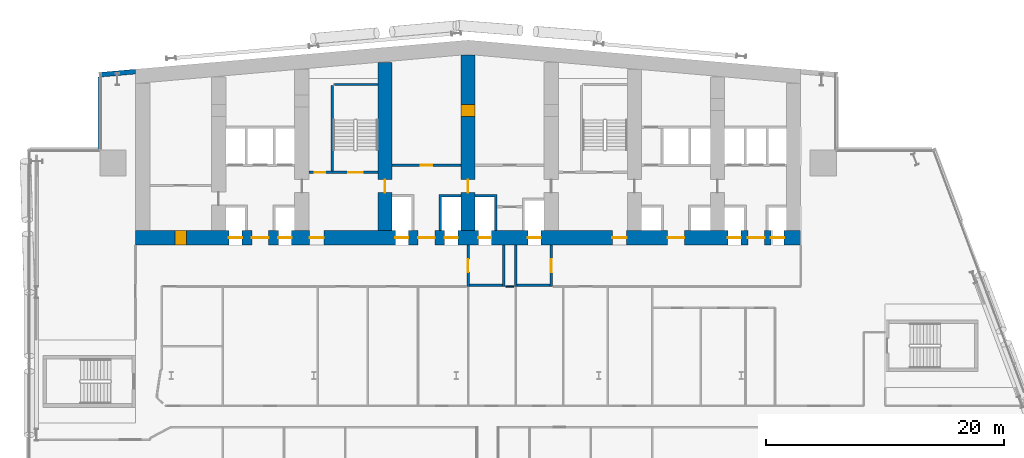
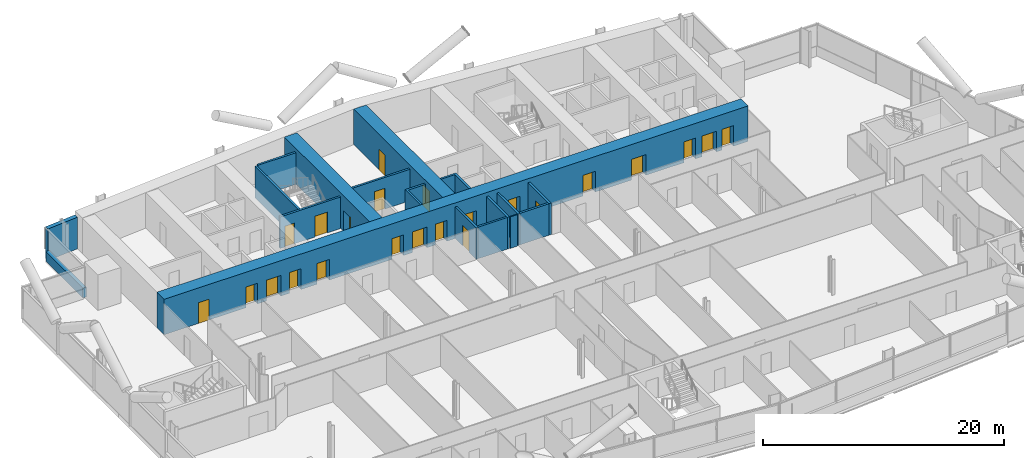
# One storey, part 17 of 27: 23 doors, 18 walls, 23 openings.
"""IFC4 building model written with IfcOpenShell, lengths in metres."""

from ifc_helpers import new_model, si_unit, direction, frame, frame_2d, origin, place, context, subcontext, project, spatial, polyline, rectangle, outline, extrude, material, layer, layer_set, type_object, element, fill, save


model = new_model("IFC4")

# Units and contexts
model_context = context("Model", 3, precision=1e-05, world=origin(), true_north=direction((0.0, 1.0)))
body_context = subcontext(model_context, "Body", "Model", "MODEL_VIEW")
ifc_project = project(units=[si_unit("LENGTHUNIT", "METRE"), si_unit("AREAUNIT", "SQUARE_METRE"), si_unit("VOLUMEUNIT", "CUBIC_METRE"), si_unit("PLANEANGLEUNIT", "RADIAN"), si_unit("MASSUNIT", "GRAM", prefix="KILO")], contexts=[model_context])

# Site, building, storey
site_placement = place(None, origin())
site = spatial("IfcSite", under=ifc_project, at=site_placement, CompositionType="ELEMENT")
building_placement = place(site_placement, origin())
building = spatial("IfcBuilding", under=site, at=building_placement, Name="Wharfspan Tower", CompositionType="ELEMENT")
storey_placement = place(building_placement, frame((0.0, 0.0, 55.899902)))
storey = spatial("IfcBuildingStorey", under=building, at=storey_placement, Name="L10", CompositionType="ELEMENT", Elevation=55.899902)

# Wall
ifc_material_1 = material(Name="Gypsum board on steel studs", Category="steel")
ifc_layer_1 = layer(ifc_material_1, 0.100098)
ifc_layer_set_1 = layer_set([ifc_layer_1], Name="Gypsum board on steel studs")
wall_type_1 = type_object("IfcWallType", Name="Compartment wall 100 EI 60", PredefinedType="PARTITIONING", material=ifc_layer_set_1)
wall_1_placement = place(storey_placement, frame((40.149902, 30.5, 0.0), z_axis=(0.0, 0.0, 1.0), x_axis=(1.0, 0.0, 0.0)))
element("IfcWall", 1, at=wall_1_placement, inside=storey, type_object=wall_type_1, Name="Partition L10.w015 (2)", PredefinedType="PARTITIONING", context=body_context, shape_type="SweptSolid", body=[
    extrude(rectangle(XDim=0.700195, YDim=0.100098, at=frame_2d((0.350098, 0.0))), origin(), (0.0, 0.0, 1.0), 3.200195),
])

# Wall, openings, doors
ifc_material_2 = material(Name="Concrete C70/85", Category="concrete")
ifc_layer_2 = layer(ifc_material_2, 1.199951)
ifc_layer_set_2 = layer_set([ifc_layer_2], Name="Concrete C70/85")
wall_type_2 = type_object("IfcWallType", Name="Core wall 1200 C70/85", PredefinedType="SHEAR", material=ifc_layer_set_2)
wall_2_placement = place(storey_placement, frame((9.0, 34.600098, 0.0), z_axis=(0.0, 0.0, 1.0), x_axis=(1.0, 0.0, 0.0)))
wall_2 = element("IfcWall", 2, at=wall_2_placement, inside=storey, type_object=wall_type_2, Name="Core front wall L10", PredefinedType="SHEAR", context=body_context, shape_type="SweptSolid", body=[
    extrude(rectangle(XDim=56.0, YDim=1.199951, at=frame_2d((28.0, 0.0))), origin(), (0.0, 0.0, 1.0), 3.600098),
])
opening_1_placement = place(wall_2_placement, frame((3.300049, 0.0, 0.0)))
opening_1 = element("IfcOpeningElement", 3, at=opening_1_placement, cuts=wall_2, Name="Opening CD10.01", PredefinedType="OPENING", context=body_context, shape_type="SweptSolid", body=[
    extrude(rectangle(XDim=1.0, YDim=2.100098, at=frame_2d((0.5, 1.050049))), frame((0.0, 0.609863, 0.0), z_axis=(0.0, -1.0, 0.0), x_axis=(1.0, 0.0, 0.0)), (0.0, 0.0, 1.0), 1.219971),
])
opening_2_placement = place(wall_2_placement, frame((7.866699, 0.0, 0.0)))
opening_2 = element("IfcOpeningElement", 4, at=opening_2_placement, cuts=wall_2, Name="Opening LD.LA1.L10", PredefinedType="OPENING", context=body_context, shape_type="SweptSolid", body=[
    extrude(rectangle(XDim=1.100098, YDim=2.100098, at=frame_2d((0.550049, 1.050049))), frame((0.0, 0.609863, 0.0), z_axis=(0.0, -1.0, 0.0), x_axis=(1.0, 0.0, 0.0)), (0.0, 0.0, 1.0), 1.219971),
])
opening_3_placement = place(wall_2_placement, frame((12.033203, 0.0, 0.0)))
opening_3 = element("IfcOpeningElement", 5, at=opening_3_placement, cuts=wall_2, Name="Opening LD.LA2.L10", PredefinedType="OPENING", context=body_context, shape_type="SweptSolid", body=[
    extrude(rectangle(XDim=1.100098, YDim=2.100098, at=frame_2d((0.550049, 1.050049))), frame((0.0, 0.609863, 0.0), z_axis=(0.0, -1.0, 0.0), x_axis=(1.0, 0.0, 0.0)), (0.0, 0.0, 1.0), 1.219971),
])
opening_4_placement = place(wall_2_placement, frame((9.800049, 0.0, 0.0)))
opening_4 = element("IfcOpeningElement", 6, at=opening_4_placement, cuts=wall_2, Name="Opening HD10.1", PredefinedType="OPENING", context=body_context, shape_type="SweptSolid", body=[
    extrude(rectangle(XDim=1.399902, YDim=2.100098, at=frame_2d((0.699951, 1.050049))), frame((0.0, 0.609863, 0.0), z_axis=(0.0, -1.0, 0.0), x_axis=(1.0, 0.0, 0.0)), (0.0, 0.0, 1.0), 1.219971),
])
opening_5_placement = place(wall_2_placement, frame((14.649902, 0.0, 0.0)))
opening_5 = element("IfcOpeningElement", 7, at=opening_5_placement, cuts=wall_2, Name="Opening SV2.L10", PredefinedType="OPENING", context=body_context, shape_type="SweptSolid", body=[
    extrude(rectangle(XDim=1.199951, YDim=2.100098, at=frame_2d((0.600098, 1.050049))), frame((0.0, 0.609863, 0.0), z_axis=(0.0, -1.0, 0.0), x_axis=(1.0, 0.0, 0.0)), (0.0, 0.0, 1.0), 1.219971),
])
opening_6_placement = place(wall_2_placement, frame((21.866699, 0.0, 0.0)))
opening_6 = element("IfcOpeningElement", 8, at=opening_6_placement, cuts=wall_2, Name="Opening LD.SL1.L10", PredefinedType="OPENING", context=body_context, shape_type="SweptSolid", body=[
    extrude(rectangle(XDim=1.100098, YDim=2.100098, at=frame_2d((0.550049, 1.050049))), frame((0.0, 0.609863, 0.0), z_axis=(0.0, -1.0, 0.0), x_axis=(1.0, 0.0, 0.0)), (0.0, 0.0, 1.0), 1.219971),
])
opening_7_placement = place(wall_2_placement, frame((26.033203, 0.0, 0.0)))
opening_7 = element("IfcOpeningElement", 9, at=opening_7_placement, cuts=wall_2, Name="Opening LD.SL2.L10", PredefinedType="OPENING", context=body_context, shape_type="SweptSolid", body=[
    extrude(rectangle(XDim=1.100098, YDim=2.100098, at=frame_2d((0.550049, 1.050049))), frame((0.0, 0.609863, 0.0), z_axis=(0.0, -1.0, 0.0), x_axis=(1.0, 0.0, 0.0)), (0.0, 0.0, 1.0), 1.219971),
])
opening_8_placement = place(wall_2_placement, frame((23.800049, 0.0, 0.0)))
opening_8 = element("IfcOpeningElement", 10, at=opening_8_placement, cuts=wall_2, Name="Opening HD10.3", PredefinedType="OPENING", context=body_context, shape_type="SweptSolid", body=[
    extrude(rectangle(XDim=1.399902, YDim=2.100098, at=frame_2d((0.699951, 1.050049))), frame((0.0, 0.609863, 0.0), z_axis=(0.0, -1.0, 0.0), x_axis=(1.0, 0.0, 0.0)), (0.0, 0.0, 1.0), 1.219971),
])
opening_9_placement = place(wall_2_placement, frame((28.866699, 0.0, 0.0)))
opening_9 = element("IfcOpeningElement", 11, at=opening_9_placement, cuts=wall_2, Name="Opening LD.FF1.L10", PredefinedType="OPENING", context=body_context, shape_type="SweptSolid", body=[
    extrude(rectangle(XDim=1.100098, YDim=2.100098, at=frame_2d((0.550049, 1.050049))), frame((0.0, 0.609863, 0.0), z_axis=(0.0, -1.0, 0.0), x_axis=(1.0, 0.0, 0.0)), (0.0, 0.0, 1.0), 1.219971),
])
opening_10_placement = place(wall_2_placement, frame((33.033203, 0.0, 0.0)))
opening_10 = element("IfcOpeningElement", 12, at=opening_10_placement, cuts=wall_2, Name="Opening LD.FF2.L10", PredefinedType="OPENING", context=body_context, shape_type="SweptSolid", body=[
    extrude(rectangle(XDim=1.100098, YDim=2.100098, at=frame_2d((0.550049, 1.050049))), frame((0.0, 0.609863, 0.0), z_axis=(0.0, -1.0, 0.0), x_axis=(1.0, 0.0, 0.0)), (0.0, 0.0, 1.0), 1.219971),
])
opening_11_placement = place(wall_2_placement, frame((40.149902, 0.0, 0.0)))
opening_11 = element("IfcOpeningElement", 13, at=opening_11_placement, cuts=wall_2, Name="Opening SV5.L10", PredefinedType="OPENING", context=body_context, shape_type="SweptSolid", body=[
    extrude(rectangle(XDim=1.199951, YDim=2.100098, at=frame_2d((0.600098, 1.050049))), frame((0.0, 0.609863, 0.0), z_axis=(0.0, -1.0, 0.0), x_axis=(1.0, 0.0, 0.0)), (0.0, 0.0, 1.0), 1.219971),
])
opening_12_placement = place(wall_2_placement, frame((44.800049, 0.0, 0.0)))
opening_12 = element("IfcOpeningElement", 14, at=opening_12_placement, cuts=wall_2, Name="Opening HD10.6", PredefinedType="OPENING", context=body_context, shape_type="SweptSolid", body=[
    extrude(rectangle(XDim=1.399902, YDim=2.100098, at=frame_2d((0.699951, 1.050049))), frame((0.0, 0.609863, 0.0), z_axis=(0.0, -1.0, 0.0), x_axis=(1.0, 0.0, 0.0)), (0.0, 0.0, 1.0), 1.219971),
])
opening_13_placement = place(wall_2_placement, frame((49.866699, 0.0, 0.0)))
opening_13 = element("IfcOpeningElement", 15, at=opening_13_placement, cuts=wall_2, Name="Opening LD.LA6.L10", PredefinedType="OPENING", context=body_context, shape_type="SweptSolid", body=[
    extrude(rectangle(XDim=1.100098, YDim=2.100098, at=frame_2d((0.550049, 1.050049))), frame((0.0, 0.609863, 0.0), z_axis=(0.0, -1.0, 0.0), x_axis=(1.0, 0.0, 0.0)), (0.0, 0.0, 1.0), 1.219971),
])
opening_14_placement = place(wall_2_placement, frame((53.5, 0.0, 0.0)))
opening_14 = element("IfcOpeningElement", 16, at=opening_14_placement, cuts=wall_2, Name="Opening LD.LA7.L10", PredefinedType="OPENING", context=body_context, shape_type="SweptSolid", body=[
    extrude(rectangle(XDim=1.100098, YDim=2.100098, at=frame_2d((0.550049, 1.050049))), frame((0.0, 0.609863, 0.0), z_axis=(0.0, -1.0, 0.0), x_axis=(1.0, 0.0, 0.0)), (0.0, 0.0, 1.0), 1.219971),
])
opening_15_placement = place(wall_2_placement, frame((51.56665, 0.0, 0.0)))
opening_15 = element("IfcOpeningElement", 17, at=opening_15_placement, cuts=wall_2, Name="Opening HD10.7", PredefinedType="OPENING", context=body_context, shape_type="SweptSolid", body=[
    extrude(rectangle(XDim=1.399902, YDim=2.100098, at=frame_2d((0.699951, 1.050049))), frame((0.0, 0.609863, 0.0), z_axis=(0.0, -1.0, 0.0), x_axis=(1.0, 0.0, 0.0)), (0.0, 0.0, 1.0), 1.219971),
])
ifc_material_3 = material(Name="Steel door leaf", Category="steel")
door_type_1 = type_object("IfcDoorType", Name="Core room door 1000x2100", OperationType="SINGLE_SWING_LEFT", PredefinedType="DOOR", material=ifc_material_3)
door_1_placement = place(opening_1_placement, origin())
door_1 = element("IfcDoor", 18, at=door_1_placement, inside=storey, type_object=door_type_1, Name="d:L10:0:rf", OperationType="SINGLE_SWING_LEFT", OverallHeight=2.100098, OverallWidth=1.0, PredefinedType="DOOR", context=body_context, shape_type="SweptSolid", body=[
    extrude(rectangle(XDim=1.0, YDim=2.100098, at=frame_2d((0.5, 1.050049))), frame((0.0, 0.599609, 0.0), z_axis=(0.0, -1.0, 0.0), x_axis=(1.0, 0.0, 0.0)), (0.0, 0.0, 1.0), 1.199463),
])
fill(opening_1, door_1)
door_type_2 = type_object("IfcDoorType", Name="Hall entry door 1400x2100", OperationType="DOUBLE_DOOR_SINGLE_SWING", PredefinedType="DOOR", material=ifc_material_3)
door_2_placement = place(opening_4_placement, origin())
door_2 = element("IfcDoor", 19, at=door_2_placement, inside=storey, type_object=door_type_2, Name="d:L10:1:hd1", OperationType="DOUBLE_DOOR_SINGLE_SWING", OverallHeight=2.100098, OverallWidth=1.399902, PredefinedType="DOOR", context=body_context, shape_type="SweptSolid", body=[
    extrude(rectangle(XDim=1.399902, YDim=2.100098, at=frame_2d((0.699951, 1.050049))), frame((0.0, 0.024902, 0.0), z_axis=(0.0, -1.0, 0.0), x_axis=(1.0, 0.0, 0.0)), (0.0, 0.0, 1.0), 0.050049),
])
fill(opening_4, door_2)
door_3_placement = place(opening_8_placement, origin())
door_3 = element("IfcDoor", 20, at=door_3_placement, inside=storey, type_object=door_type_2, Name="d:L10:3:hd3", OperationType="DOUBLE_DOOR_SINGLE_SWING", OverallHeight=2.100098, OverallWidth=1.399902, PredefinedType="DOOR", context=body_context, shape_type="SweptSolid", body=[
    extrude(rectangle(XDim=1.399902, YDim=2.100098, at=frame_2d((0.699951, 1.050049))), frame((0.0, 0.024902, 0.0), z_axis=(0.0, -1.0, 0.0), x_axis=(1.0, 0.0, 0.0)), (0.0, 0.0, 1.0), 0.050049),
])
fill(opening_8, door_3)
door_4_placement = place(opening_12_placement, origin())
door_4 = element("IfcDoor", 21, at=door_4_placement, inside=storey, type_object=door_type_2, Name="d:L10:6:hd6", OperationType="DOUBLE_DOOR_SINGLE_SWING", OverallHeight=2.100098, OverallWidth=1.399902, PredefinedType="DOOR", context=body_context, shape_type="SweptSolid", body=[
    extrude(rectangle(XDim=1.399902, YDim=2.100098, at=frame_2d((0.699951, 1.050049))), frame((0.0, 0.024902, 0.0), z_axis=(0.0, -1.0, 0.0), x_axis=(1.0, 0.0, 0.0)), (0.0, 0.0, 1.0), 0.050049),
])
fill(opening_12, door_4)
door_5_placement = place(opening_15_placement, origin())
door_5 = element("IfcDoor", 22, at=door_5_placement, inside=storey, type_object=door_type_2, Name="d:L10:7:hd7", OperationType="DOUBLE_DOOR_SINGLE_SWING", OverallHeight=2.100098, OverallWidth=1.399902, PredefinedType="DOOR", context=body_context, shape_type="SweptSolid", body=[
    extrude(rectangle(XDim=1.399902, YDim=2.100098, at=frame_2d((0.699951, 1.050049))), frame((0.0, 0.024902, 0.0), z_axis=(0.0, -1.0, 0.0), x_axis=(1.0, 0.0, 0.0)), (0.0, 0.0, 1.0), 0.050049),
])
fill(opening_15, door_5)
ifc_material_4 = material(Name="Stainless steel", Category="steel")
door_type_3 = type_object("IfcDoorType", Name="Lift landing door 1100x2100", OperationType="DOUBLE_DOOR_SLIDING", PredefinedType="DOOR", material=ifc_material_4)
door_6_placement = place(opening_2_placement, origin())
door_6 = element("IfcDoor", 23, at=door_6_placement, inside=storey, type_object=door_type_3, Name="Landing door LA1 L10", OperationType="DOUBLE_DOOR_SLIDING", OverallHeight=2.100098, OverallWidth=1.100098, PredefinedType="DOOR", context=body_context, shape_type="SweptSolid", body=[
    extrude(rectangle(XDim=1.100098, YDim=2.100098, at=frame_2d((0.550049, 1.050049))), frame((0.0, 0.024902, 0.0), z_axis=(0.0, -1.0, 0.0), x_axis=(1.0, 0.0, 0.0)), (0.0, 0.0, 1.0), 0.050049),
])
fill(opening_2, door_6)
door_7_placement = place(opening_3_placement, origin())
door_7 = element("IfcDoor", 24, at=door_7_placement, inside=storey, type_object=door_type_3, Name="Landing door LA2 L10", OperationType="DOUBLE_DOOR_SLIDING", OverallHeight=2.100098, OverallWidth=1.100098, PredefinedType="DOOR", context=body_context, shape_type="SweptSolid", body=[
    extrude(rectangle(XDim=1.100098, YDim=2.100098, at=frame_2d((0.550049, 1.050049))), frame((0.0, 0.024902, 0.0), z_axis=(0.0, -1.0, 0.0), x_axis=(1.0, 0.0, 0.0)), (0.0, 0.0, 1.0), 0.050049),
])
fill(opening_3, door_7)
door_8_placement = place(opening_6_placement, origin())
door_8 = element("IfcDoor", 25, at=door_8_placement, inside=storey, type_object=door_type_3, Name="Landing door SL1 L10", OperationType="DOUBLE_DOOR_SLIDING", OverallHeight=2.100098, OverallWidth=1.100098, PredefinedType="DOOR", context=body_context, shape_type="SweptSolid", body=[
    extrude(rectangle(XDim=1.100098, YDim=2.100098, at=frame_2d((0.550049, 1.050049))), frame((0.0, 0.024902, 0.0), z_axis=(0.0, -1.0, 0.0), x_axis=(1.0, 0.0, 0.0)), (0.0, 0.0, 1.0), 0.050049),
])
fill(opening_6, door_8)
door_9_placement = place(opening_7_placement, origin())
door_9 = element("IfcDoor", 26, at=door_9_placement, inside=storey, type_object=door_type_3, Name="Landing door SL2 L10", OperationType="DOUBLE_DOOR_SLIDING", OverallHeight=2.100098, OverallWidth=1.100098, PredefinedType="DOOR", context=body_context, shape_type="SweptSolid", body=[
    extrude(rectangle(XDim=1.100098, YDim=2.100098, at=frame_2d((0.550049, 1.050049))), frame((0.0, 0.024902, 0.0), z_axis=(0.0, -1.0, 0.0), x_axis=(1.0, 0.0, 0.0)), (0.0, 0.0, 1.0), 0.050049),
])
fill(opening_7, door_9)
door_10_placement = place(opening_9_placement, origin())
door_10 = element("IfcDoor", 27, at=door_10_placement, inside=storey, type_object=door_type_3, Name="Landing door FF1 L10", OperationType="DOUBLE_DOOR_SLIDING", OverallHeight=2.100098, OverallWidth=1.100098, PredefinedType="DOOR", context=body_context, shape_type="SweptSolid", body=[
    extrude(rectangle(XDim=1.100098, YDim=2.100098, at=frame_2d((0.550049, 1.050049))), frame((0.0, 0.024902, 0.0), z_axis=(0.0, -1.0, 0.0), x_axis=(1.0, 0.0, 0.0)), (0.0, 0.0, 1.0), 0.050049),
])
fill(opening_9, door_10)
door_11_placement = place(opening_10_placement, origin())
door_11 = element("IfcDoor", 28, at=door_11_placement, inside=storey, type_object=door_type_3, Name="Landing door FF2 L10", OperationType="DOUBLE_DOOR_SLIDING", OverallHeight=2.100098, OverallWidth=1.100098, PredefinedType="DOOR", context=body_context, shape_type="SweptSolid", body=[
    extrude(rectangle(XDim=1.100098, YDim=2.100098, at=frame_2d((0.550049, 1.050049))), frame((0.0, 0.024902, 0.0), z_axis=(0.0, -1.0, 0.0), x_axis=(1.0, 0.0, 0.0)), (0.0, 0.0, 1.0), 0.050049),
])
fill(opening_10, door_11)
door_12_placement = place(opening_13_placement, origin())
door_12 = element("IfcDoor", 29, at=door_12_placement, inside=storey, type_object=door_type_3, Name="Landing door LA6 L10", OperationType="DOUBLE_DOOR_SLIDING", OverallHeight=2.100098, OverallWidth=1.100098, PredefinedType="DOOR", context=body_context, shape_type="SweptSolid", body=[
    extrude(rectangle(XDim=1.100098, YDim=2.100098, at=frame_2d((0.550049, 1.050049))), frame((0.0, 0.024902, 0.0), z_axis=(0.0, -1.0, 0.0), x_axis=(1.0, 0.0, 0.0)), (0.0, 0.0, 1.0), 0.050049),
])
fill(opening_13, door_12)
door_13_placement = place(opening_14_placement, origin())
door_13 = element("IfcDoor", 30, at=door_13_placement, inside=storey, type_object=door_type_3, Name="Landing door LA7 L10", OperationType="DOUBLE_DOOR_SLIDING", OverallHeight=2.100098, OverallWidth=1.100098, PredefinedType="DOOR", context=body_context, shape_type="SweptSolid", body=[
    extrude(rectangle(XDim=1.100098, YDim=2.100098, at=frame_2d((0.550049, 1.050049))), frame((0.0, 0.024902, 0.0), z_axis=(0.0, -1.0, 0.0), x_axis=(1.0, 0.0, 0.0)), (0.0, 0.0, 1.0), 0.050049),
])
fill(opening_14, door_13)
door_type_4 = type_object("IfcDoorType", Name="Stair door 1200x2100", OperationType="SINGLE_SWING_LEFT", PredefinedType="DOOR", material=ifc_material_3)
door_14_placement = place(opening_5_placement, origin())
door_14 = element("IfcDoor", 31, at=door_14_placement, inside=storey, type_object=door_type_4, Name="vd:L10:2", OperationType="SINGLE_SWING_LEFT", OverallHeight=2.100098, OverallWidth=1.199951, PredefinedType="DOOR", context=body_context, shape_type="SweptSolid", body=[
    extrude(rectangle(XDim=1.199951, YDim=2.100098, at=frame_2d((0.600098, 1.050049))), frame((0.0, 0.024902, 0.0), z_axis=(0.0, -1.0, 0.0), x_axis=(1.0, 0.0, 0.0)), (0.0, 0.0, 1.0), 0.050049),
])
fill(opening_5, door_14)
door_15_placement = place(opening_11_placement, origin())
door_15 = element("IfcDoor", 32, at=door_15_placement, inside=storey, type_object=door_type_4, Name="vd:L10:5", OperationType="SINGLE_SWING_LEFT", OverallHeight=2.100098, OverallWidth=1.199951, PredefinedType="DOOR", context=body_context, shape_type="SweptSolid", body=[
    extrude(rectangle(XDim=1.199951, YDim=2.100098, at=frame_2d((0.600098, 1.050049))), frame((0.0, 0.024902, 0.0), z_axis=(0.0, -1.0, 0.0), x_axis=(1.0, 0.0, 0.0)), (0.0, 0.0, 1.0), 0.050049),
])
fill(opening_11, door_15)

# Wall, opening, door
wall_3_placement = place(storey_placement, frame((30.0, 35.199951, 0.0), z_axis=(0.0, 0.0, 1.0), x_axis=(0.0, 1.0, 0.0)))
wall_3 = element("IfcWall", 33, at=wall_3_placement, inside=storey, type_object=wall_type_2, Name="Core cross wall X3 L10", PredefinedType="SHEAR", context=body_context, shape_type="SweptSolid", body=[
    extrude(rectangle(XDim=14.167725, YDim=1.199951, at=frame_2d((7.083984, 0.0))), origin(), (0.0, 0.0, 1.0), 3.600098),
])
opening_16_placement = place(wall_3_placement, frame((3.199951, 0.0, 0.0)))
opening_16 = element("IfcOpeningElement", 34, at=opening_16_placement, cuts=wall_3, Name="Opening CC10.3", PredefinedType="OPENING", context=body_context, shape_type="SweptSolid", body=[
    extrude(rectangle(XDim=1.100098, YDim=2.100098, at=frame_2d((0.550049, 1.050049))), frame((0.0, 0.609863, 0.0), z_axis=(0.0, -1.0, 0.0), x_axis=(1.0, 0.0, 0.0)), (0.0, 0.0, 1.0), 1.219971),
])
door_type_5 = type_object("IfcDoorType", Name="Core corridor door 1100x2100", OperationType="SINGLE_SWING_LEFT", PredefinedType="DOOR", material=ifc_material_3)
door_16_placement = place(opening_16_placement, origin())
door_16 = element("IfcDoor", 35, at=door_16_placement, inside=storey, type_object=door_type_5, Name="xd:L10:3", OperationType="SINGLE_SWING_LEFT", OverallHeight=2.100098, OverallWidth=1.100098, PredefinedType="DOOR", context=body_context, shape_type="SweptSolid", body=[
    extrude(rectangle(XDim=1.100098, YDim=2.100098, at=frame_2d((0.550049, 1.050049))), frame((0.0, 0.024902, 0.0), z_axis=(0.0, -1.0, 0.0), x_axis=(1.0, 0.0, 0.0)), (0.0, 0.0, 1.0), 0.050049),
])
fill(opening_16, door_16)

# Wall, openings, doors
wall_4_placement = place(storey_placement, frame((37.0, 35.199951, 0.0), z_axis=(0.0, 0.0, 1.0), x_axis=(0.0, 1.0, 0.0)))
wall_4 = element("IfcWall", 36, at=wall_4_placement, inside=storey, type_object=wall_type_2, Name="Core cross wall X4 L10", PredefinedType="SHEAR", context=body_context, shape_type="SweptSolid", body=[
    extrude(rectangle(XDim=14.780029, YDim=1.199951, at=frame_2d((7.390137, 0.0))), origin(), (0.0, 0.0, 1.0), 3.600098),
])
opening_17_placement = place(wall_4_placement, frame((3.199951, 0.0, 0.0)))
opening_17 = element("IfcOpeningElement", 37, at=opening_17_placement, cuts=wall_4, Name="Opening CC10.4", PredefinedType="OPENING", context=body_context, shape_type="SweptSolid", body=[
    extrude(rectangle(XDim=1.100098, YDim=2.100098, at=frame_2d((0.550049, 1.050049))), frame((0.0, 0.609863, 0.0), z_axis=(0.0, -1.0, 0.0), x_axis=(1.0, 0.0, 0.0)), (0.0, 0.0, 1.0), 1.219971),
])
opening_18_placement = place(wall_4_placement, frame((9.600098, 0.0, 0.0)))
opening_18 = element("IfcOpeningElement", 38, at=opening_18_placement, cuts=wall_4, Name="Opening CR10.4", PredefinedType="OPENING", context=body_context, shape_type="SweptSolid", body=[
    extrude(rectangle(XDim=1.0, YDim=2.100098, at=frame_2d((0.5, 1.050049))), frame((0.0, 0.609863, 0.0), z_axis=(0.0, -1.0, 0.0), x_axis=(1.0, 0.0, 0.0)), (0.0, 0.0, 1.0), 1.219971),
])
door_17_placement = place(opening_17_placement, origin())
door_17 = element("IfcDoor", 39, at=door_17_placement, inside=storey, type_object=door_type_5, Name="xd:L10:4", OperationType="SINGLE_SWING_RIGHT", OverallHeight=2.100098, OverallWidth=1.100098, PredefinedType="DOOR", context=body_context, shape_type="SweptSolid", body=[
    extrude(rectangle(XDim=1.100098, YDim=2.100098, at=frame_2d((0.550049, 1.050049))), frame((0.0, 0.024902, 0.0), z_axis=(0.0, -1.0, 0.0), x_axis=(1.0, 0.0, 0.0)), (0.0, 0.0, 1.0), 0.050049),
])
fill(opening_17, door_17)
door_18_placement = place(opening_18_placement, origin())
door_18 = element("IfcDoor", 40, at=door_18_placement, inside=storey, type_object=door_type_1, Name="xr:L10:4", OperationType="SINGLE_SWING_RIGHT", OverallHeight=2.100098, OverallWidth=1.0, PredefinedType="DOOR", context=body_context, shape_type="SweptSolid", body=[
    extrude(rectangle(XDim=1.0, YDim=2.100098, at=frame_2d((0.5, 1.050049))), frame((0.0, 0.599609, 0.0), z_axis=(0.0, -1.0, 0.0), x_axis=(1.0, 0.0, 0.0)), (0.0, 0.0, 1.0), 1.199463),
])
fill(opening_18, door_18)

# Wall, opening, door
ifc_material_5 = material(Name="Concrete C30/37", Category="concrete")
ifc_layer_3 = layer(ifc_material_5, 0.199951)
ifc_layer_set_3 = layer_set([ifc_layer_3], Name="Concrete C30/37")
wall_type_3 = type_object("IfcWallType", Name="Lift shaft wall 200", PredefinedType="PARTITIONING", material=ifc_layer_set_3)
wall_5_placement = place(storey_placement, frame((30.600098, 40.699951, 0.0), z_axis=(0.0, 0.0, 1.0), x_axis=(1.0, 0.0, 0.0)))
wall_5 = element("IfcWall", 41, at=wall_5_placement, inside=storey, type_object=wall_type_3, Name="sw:L10:RF3", PredefinedType="PARTITIONING", context=body_context, shape_type="SweptSolid", body=[
    extrude(rectangle(XDim=5.799805, YDim=0.199951, at=frame_2d((2.899902, 0.0))), origin(), (0.0, 0.0, 1.0), 3.200195),
])
opening_19_placement = place(wall_5_placement, frame((2.399902, 0.0, 0.0)))
opening_19 = element("IfcOpeningElement", 42, at=opening_19_placement, cuts=wall_5, Name="Opening CD10.3S", PredefinedType="OPENING", context=body_context, shape_type="SweptSolid", body=[
    extrude(rectangle(XDim=1.0, YDim=2.100098, at=frame_2d((0.5, 1.050049))), frame((0.0, 0.109863, 0.0), z_axis=(0.0, -1.0, 0.0), x_axis=(1.0, 0.0, 0.0)), (0.0, 0.0, 1.0), 0.219971),
])
door_19_placement = place(opening_19_placement, origin())
door_19 = element("IfcDoor", 43, at=door_19_placement, inside=storey, type_object=door_type_1, Name="d:L10:3:sf", OperationType="SINGLE_SWING_LEFT", OverallHeight=2.100098, OverallWidth=1.0, PredefinedType="DOOR", context=body_context, shape_type="SweptSolid", body=[
    extrude(rectangle(XDim=1.0, YDim=2.100098, at=frame_2d((0.5, 1.050049))), frame((0.0, 0.024902, 0.0), z_axis=(0.0, -1.0, 0.0), x_axis=(1.0, 0.0, 0.0)), (0.0, 0.0, 1.0), 0.050049),
])
fill(opening_19, door_19)

# Walls
wall_6_placement = place(storey_placement, origin())
element("IfcWall", 44, at=wall_6_placement, inside=storey, type_object=wall_type_3, Name="sw:L10:FM3.1", PredefinedType="PARTITIONING", context=body_context, shape_type="SweptSolid", body=[
    extrude(outline(polyline([(34.56665, 38.25), (34.766602, 38.25), (36.399902, 38.25), (36.399902, 38.050049), (34.766602, 38.050049), (34.766602, 35.199951), (34.56665, 35.199951), (34.56665, 38.25)])), origin(), (0.0, 0.0, 1.0), 3.200195),
])
wall_7_placement = place(storey_placement, origin())
element("IfcWall", 45, at=wall_7_placement, inside=storey, type_object=wall_type_3, Name="sw:L10:FM4.1", PredefinedType="PARTITIONING", context=body_context, shape_type="SweptSolid", body=[
    extrude(outline(polyline([(39.233398, 38.050049), (37.600098, 38.050049), (37.600098, 38.25), (39.233398, 38.25), (39.43335, 38.25), (39.43335, 35.199951), (39.233398, 35.199951), (39.233398, 38.050049)])), origin(), (0.0, 0.0, 1.0), 3.200195),
])

# Wall, opening, door
ifc_layer_4 = layer(ifc_material_5, 0.199951)
ifc_layer_set_4 = layer_set([ifc_layer_4], Name="Concrete C30/37")
wall_type_4 = type_object("IfcWallType", Name="Lobby wall 200", PredefinedType="PARTITIONING", material=ifc_layer_set_4)
wall_8_placement = place(storey_placement, frame((37.0, 30.5, 0.0), z_axis=(0.0, 0.0, 1.0), x_axis=(0.0, 1.0, 0.0)))
wall_8 = element("IfcWall", 46, at=wall_8_placement, inside=storey, type_object=wall_type_4, Name="sw:L10:FLFF1W", PredefinedType="PARTITIONING", context=body_context, shape_type="SweptSolid", body=[
    extrude(rectangle(XDim=3.5, YDim=0.199951, at=frame_2d((1.75, 0.0))), origin(), (0.0, 0.0, 1.0), 3.200195),
])
opening_20_placement = place(wall_8_placement, frame((1.199951, 0.0, 0.0)))
opening_20 = element("IfcOpeningElement", 47, at=opening_20_placement, cuts=wall_8, Name="Opening FL.FF1.L10", PredefinedType="OPENING", context=body_context, shape_type="SweptSolid", body=[
    extrude(rectangle(XDim=1.100098, YDim=2.100098, at=frame_2d((0.550049, 1.050049))), frame((0.0, 0.109863, 0.0), z_axis=(0.0, -1.0, 0.0), x_axis=(1.0, 0.0, 0.0)), (0.0, 0.0, 1.0), 0.219971),
])
door_type_6 = type_object("IfcDoorType", Name="Firefighting lobby door 1100x2100", OperationType="SINGLE_SWING_LEFT", PredefinedType="DOOR", material=ifc_material_3)
door_20_placement = place(opening_20_placement, origin())
door_20 = element("IfcDoor", 48, at=door_20_placement, inside=storey, type_object=door_type_6, Name="fd:L10:FF1", OperationType="SINGLE_SWING_LEFT", OverallHeight=2.100098, OverallWidth=1.100098, PredefinedType="DOOR", context=body_context, shape_type="SweptSolid", body=[
    extrude(rectangle(XDim=1.100098, YDim=2.100098, at=frame_2d((0.550049, 1.050049))), frame((0.0, 0.024902, 0.0), z_axis=(0.0, -1.0, 0.0), x_axis=(1.0, 0.0, 0.0)), (0.0, 0.0, 1.0), 0.050049),
])
fill(opening_20, door_20)

# Walls
wall_9_placement = place(storey_placement, frame((40.0, 30.5, 0.0), z_axis=(0.0, 0.0, 1.0), x_axis=(0.0, 1.0, 0.0)))
element("IfcWall", 49, at=wall_9_placement, inside=storey, type_object=wall_type_4, Name="sw:L10:FLFF1E", PredefinedType="PARTITIONING", context=body_context, shape_type="SweptSolid", body=[
    extrude(rectangle(XDim=3.5, YDim=0.199951, at=frame_2d((1.75, 0.0))), origin(), (0.0, 0.0, 1.0), 3.200195),
])
wall_10_placement = place(storey_placement, frame((37.100098, 30.600098, 0.0), z_axis=(0.0, 0.0, 1.0), x_axis=(1.0, 0.0, 0.0)))
element("IfcWall", 50, at=wall_10_placement, inside=storey, type_object=wall_type_4, Name="sw:L10:FLFF1F", PredefinedType="PARTITIONING", context=body_context, shape_type="SweptSolid", body=[
    extrude(rectangle(XDim=2.799805, YDim=0.199951, at=frame_2d((1.399902, 0.0))), origin(), (0.0, 0.0, 1.0), 3.200195),
])
wall_11_placement = place(storey_placement, frame((41.0, 30.5, 0.0), z_axis=(0.0, 0.0, 1.0), x_axis=(0.0, 1.0, 0.0)))
element("IfcWall", 51, at=wall_11_placement, inside=storey, type_object=wall_type_4, Name="sw:L10:FLFF2W", PredefinedType="PARTITIONING", context=body_context, shape_type="SweptSolid", body=[
    extrude(rectangle(XDim=3.5, YDim=0.199951, at=frame_2d((1.75, 0.0))), origin(), (0.0, 0.0, 1.0), 3.200195),
])

# Wall, opening, door
wall_12_placement = place(storey_placement, frame((44.0, 30.5, 0.0), z_axis=(0.0, 0.0, 1.0), x_axis=(0.0, 1.0, 0.0)))
wall_12 = element("IfcWall", 52, at=wall_12_placement, inside=storey, type_object=wall_type_4, Name="sw:L10:FLFF2E", PredefinedType="PARTITIONING", context=body_context, shape_type="SweptSolid", body=[
    extrude(rectangle(XDim=3.5, YDim=0.199951, at=frame_2d((1.75, 0.0))), origin(), (0.0, 0.0, 1.0), 3.200195),
])
opening_21_placement = place(wall_12_placement, frame((1.199951, 0.0, 0.0)))
opening_21 = element("IfcOpeningElement", 53, at=opening_21_placement, cuts=wall_12, Name="Opening FL.FF2.L10", PredefinedType="OPENING", context=body_context, shape_type="SweptSolid", body=[
    extrude(rectangle(XDim=1.100098, YDim=2.100098, at=frame_2d((0.550049, 1.050049))), frame((0.0, 0.109863, 0.0), z_axis=(0.0, -1.0, 0.0), x_axis=(1.0, 0.0, 0.0)), (0.0, 0.0, 1.0), 0.219971),
])
door_21_placement = place(opening_21_placement, origin())
door_21 = element("IfcDoor", 54, at=door_21_placement, inside=storey, type_object=door_type_6, Name="fd:L10:FF2", OperationType="SINGLE_SWING_LEFT", OverallHeight=2.100098, OverallWidth=1.100098, PredefinedType="DOOR", context=body_context, shape_type="SweptSolid", body=[
    extrude(rectangle(XDim=1.100098, YDim=2.100098, at=frame_2d((0.550049, 1.050049))), frame((0.0, 0.024902, 0.0), z_axis=(0.0, -1.0, 0.0), x_axis=(1.0, 0.0, 0.0)), (0.0, 0.0, 1.0), 0.050049),
])
fill(opening_21, door_21)

# Walls
wall_13_placement = place(storey_placement, frame((41.100098, 30.600098, 0.0), z_axis=(0.0, 0.0, 1.0), x_axis=(1.0, 0.0, 0.0)))
element("IfcWall", 55, at=wall_13_placement, inside=storey, type_object=wall_type_4, Name="sw:L10:FLFF2F", PredefinedType="PARTITIONING", context=body_context, shape_type="SweptSolid", body=[
    extrude(rectangle(XDim=2.799805, YDim=0.199951, at=frame_2d((1.399902, 0.0))), origin(), (0.0, 0.0, 1.0), 3.200195),
])
ifc_material_6 = material(Name="Concrete C40/50", Category="concrete")
ifc_layer_5 = layer(ifc_material_6, 0.350098)
ifc_layer_set_5 = layer_set([ifc_layer_5], Name="Concrete C40/50")
wall_type_5 = type_object("IfcWallType", Name="SPANDREL EXPOSED CONCRETE 350", PredefinedType="SOLIDWALL", material=ifc_layer_set_5)
wall_14_placement = place(storey_placement, frame((5.995117, 48.126465, 0.0), z_axis=(0.0, 0.0, 1.0), x_axis=(0.0, -1.0, 0.0)))
element("IfcWall", 56, at=wall_14_placement, inside=storey, type_object=wall_type_5, Name="Spandrel upstand L10 NRW-V", PredefinedType="SOLIDWALL", context=body_context, shape_type="SweptSolid", body=[
    extrude(rectangle(XDim=6.126465, YDim=0.350098, at=frame_2d((3.063232, 0.0))), origin(), (0.0, 0.0, 1.0), 1.0),
])

# Wall, openings, doors
ifc_layer_6 = layer(ifc_material_6, 0.199951)
ifc_layer_set_6 = layer_set([ifc_layer_6], Name="Concrete C40/50")
wall_type_6 = type_object("IfcWallType", Name="Stair shaft wall 200", PredefinedType="SHEAR", material=ifc_layer_set_6)
wall_15_placement = place(storey_placement, frame((23.600098, 40.100098, 0.0), z_axis=(0.0, 0.0, 1.0), x_axis=(1.0, 0.0, 0.0)))
wall_15 = element("IfcWall", 57, at=wall_15_placement, inside=storey, type_object=wall_type_6, Name="ST1 stair enclosure wall L10", PredefinedType="SHEAR", context=body_context, shape_type="SweptSolid", body=[
    extrude(rectangle(XDim=5.799805, YDim=0.199951, at=frame_2d((2.899902, 0.0))), origin(), (0.0, 0.0, 1.0), 3.200195),
])
opening_22_placement = place(wall_15_placement, frame((3.324951, 0.0, 0.0)))
opening_22 = element("IfcOpeningElement", 58, at=opening_22_placement, cuts=wall_15, Name="Opening SD2.L10", PredefinedType="OPENING", context=body_context, shape_type="SweptSolid", body=[
    extrude(rectangle(XDim=1.199951, YDim=2.100098, at=frame_2d((0.600098, 1.050049))), frame((0.0, 0.109863, 0.0), z_axis=(0.0, -1.0, 0.0), x_axis=(1.0, 0.0, 0.0)), (0.0, 0.0, 1.0), 0.219971),
])
opening_23_placement = place(wall_15_placement, frame((0.475098, 0.0, 0.0)))
opening_23 = element("IfcOpeningElement", 59, at=opening_23_placement, cuts=wall_15, Name="Opening CD10.2R", PredefinedType="OPENING", context=body_context, shape_type="SweptSolid", body=[
    extrude(rectangle(XDim=0.899902, YDim=2.100098, at=frame_2d((0.449951, 1.050049))), frame((0.0, 0.109863, 0.0), z_axis=(0.0, -1.0, 0.0), x_axis=(1.0, 0.0, 0.0)), (0.0, 0.0, 1.0), 0.219971),
])
door_22_placement = place(opening_23_placement, origin())
door_22 = element("IfcDoor", 60, at=door_22_placement, inside=storey, type_object=door_type_1, Name="rk:L10:2", OperationType="SINGLE_SWING_LEFT", OverallHeight=2.100098, OverallWidth=0.899902, PredefinedType="DOOR", context=body_context, shape_type="SweptSolid", body=[
    extrude(rectangle(XDim=0.899902, YDim=2.100098, at=frame_2d((0.449951, 1.050049))), frame((0.0, 0.024902, 0.0), z_axis=(0.0, -1.0, 0.0), x_axis=(1.0, 0.0, 0.0)), (0.0, 0.0, 1.0), 0.050049),
])
fill(opening_23, door_22)
door_23_placement = place(opening_22_placement, origin())
door_23 = element("IfcDoor", 61, at=door_23_placement, inside=storey, type_object=door_type_4, Name="sd:L10:2", OperationType="SINGLE_SWING_RIGHT", OverallHeight=2.100098, OverallWidth=1.199951, PredefinedType="DOOR", context=body_context, shape_type="SweptSolid", body=[
    extrude(rectangle(XDim=1.199951, YDim=2.100098, at=frame_2d((0.600098, 1.050049))), frame((0.0, 0.024902, 0.0), z_axis=(0.0, -1.0, 0.0), x_axis=(1.0, 0.0, 0.0)), (0.0, 0.0, 1.0), 0.050049),
])
fill(opening_22, door_23)

# Walls
wall_16_placement = place(storey_placement, frame((25.550049, 40.199951, 0.0), z_axis=(0.0, 0.0, 1.0), x_axis=(0.0, 1.0, 0.0)))
element("IfcWall", 62, at=wall_16_placement, inside=storey, type_object=wall_type_6, Name="ST1 stair enclosure wall L10", PredefinedType="SHEAR", context=body_context, shape_type="SweptSolid", body=[
    extrude(rectangle(XDim=7.199951, YDim=0.199951, at=frame_2d((3.600098, 0.0))), origin(), (0.0, 0.0, 1.0), 3.200195),
])
wall_17_placement = place(storey_placement, frame((25.75, 47.5, 0.0), z_axis=(0.0, 0.0, 1.0), x_axis=(1.0, 0.0, 0.0)))
element("IfcWall", 63, at=wall_17_placement, inside=storey, type_object=wall_type_6, Name="ST1 stair enclosure wall L10", PredefinedType="SHEAR", context=body_context, shape_type="SweptSolid", body=[
    extrude(rectangle(XDim=3.649902, YDim=0.199951, at=frame_2d((1.824951, 0.0))), origin(), (0.0, 0.0, 1.0), 3.200195),
])
ifc_layer_7 = layer(ifc_material_6, 0.399902)
ifc_layer_set_7 = layer_set([ifc_layer_7], Name="Concrete C40/50")
wall_type_7 = type_object("IfcWallType", Name="WALL EXPOSED CONCRETE 400", PredefinedType="SOLIDWALL", material=ifc_layer_set_7)
wall_18_placement = place(storey_placement, frame((9.0, 48.58667, 0.0), z_axis=(0.0, 0.0, 1.0), x_axis=(-0.996194, -0.087168, 0.0)))
element("IfcWall", 64, at=wall_18_placement, inside=storey, type_object=wall_type_7, Name="Rear wall N1", PredefinedType="SOLIDWALL", context=body_context, shape_type="SweptSolid", body=[
    extrude(rectangle(XDim=2.994141, YDim=0.399902, at=frame_2d((1.49707, 0.0))), origin(), (0.0, 0.0, 1.0), 3.200195),
])

save(model, "model.ifc")
